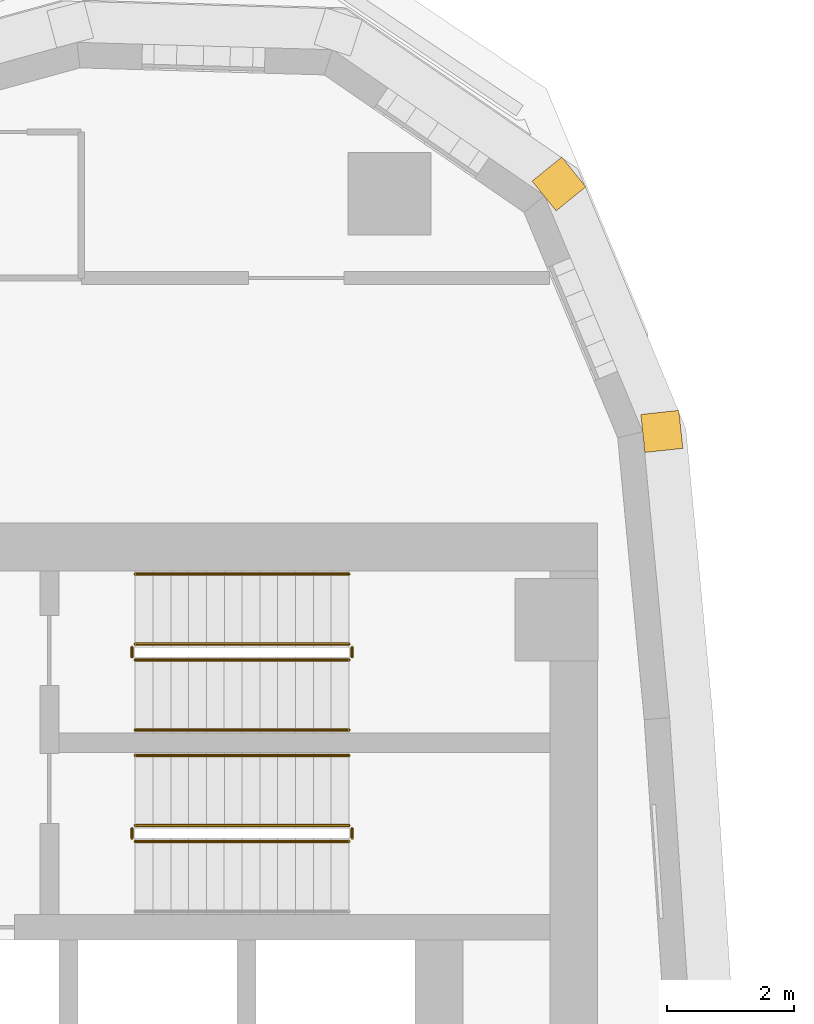
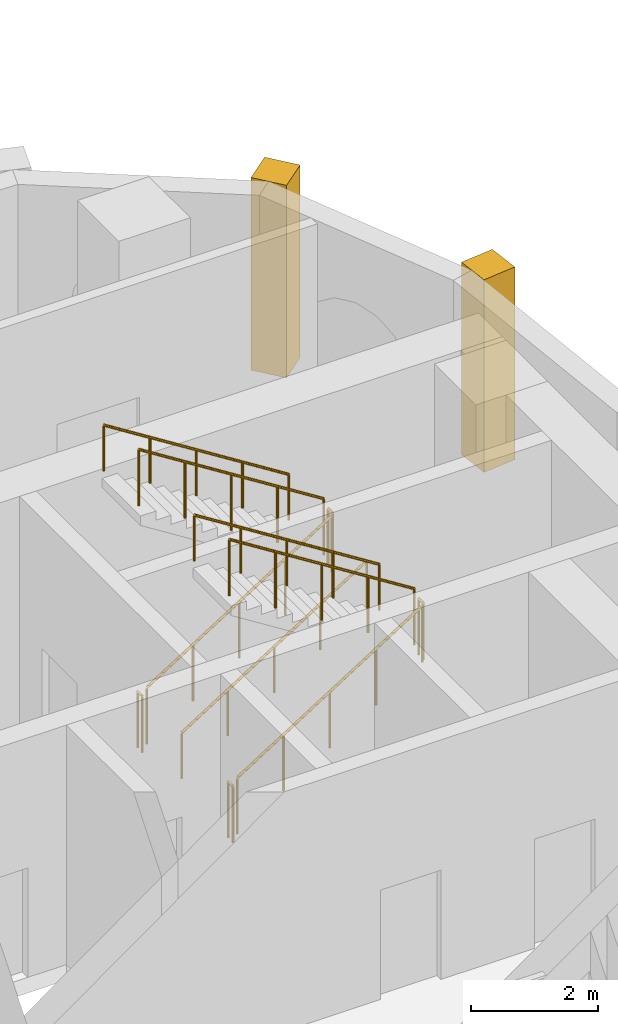
# One storey, part 16 of 19: 11 railings, 2 coverings.
"""IFC4 building model written with IfcOpenShell, lengths in metres."""

from ifc_helpers import new_model, si_unit, direction, frame, frame_2d, origin, origin_2d, place, context, subcontext, project, spatial, rectangle, circle, extrude, material, layer, layer_set, type_object, element, save


model = new_model("IFC4")

# Units and contexts
model_context = context("Model", 3, precision=1e-05, world=origin(), true_north=direction((0.0, 1.0)))
body_context = subcontext(model_context, "Body", "Model", "MODEL_VIEW")
ifc_project = project(units=[si_unit("LENGTHUNIT", "METRE"), si_unit("AREAUNIT", "SQUARE_METRE"), si_unit("VOLUMEUNIT", "CUBIC_METRE"), si_unit("PLANEANGLEUNIT", "RADIAN"), si_unit("MASSUNIT", "GRAM", prefix="KILO")], contexts=[model_context])

# Site, building, storey
site_placement = place(None, origin())
site = spatial("IfcSite", under=ifc_project, at=site_placement, CompositionType="ELEMENT")
building_placement = place(site_placement, origin())
building = spatial("IfcBuilding", under=site, at=building_placement, Name="Ostrand Prow Hotel Tower", CompositionType="ELEMENT")
storey_placement = place(building_placement, frame((0.0, 0.0, 170.89990234375)))
storey = spatial("IfcBuildingStorey", under=building, at=storey_placement, Name="L42", CompositionType="ELEMENT", Elevation=170.89990234375)

# Coverings
ifc_material_1 = material(Name="Limestone cladding", Category="masonry")
ifc_layer = layer(ifc_material_1, 0.60009765625)
ifc_layer_set = layer_set([ifc_layer], Name="Limestone cladding")
covering_type = type_object("IfcCoveringType", Name="Precast stone prow rib 600x600", PredefinedType="CLADDING", material=ifc_layer_set)
for number, where, z_axis, x_axis, name in (
    (1, (65.18017578125, 17.9111328125, 0.60009765625), (0.0, 0.0, 1.0), (0.994255138911, 0.107036062846, 0.0), "Stone corner rib 13a"),
    (2, (63.6279296875, 21.643798828125, 0.60009765625), (0.0, 0.0, 1.0), (0.776922530767, 0.62959620487, 0.0), "Stone corner rib 14a"),
):
    element("IfcCovering", number, at=place(storey_placement, frame(where, z_axis=z_axis, x_axis=x_axis)), inside=storey, type_object=covering_type, Name=name, PredefinedType="CLADDING", context=body_context, shape_type="SweptSolid", body=[
        extrude(rectangle(XDim=0.599853515625, YDim=0.60009765625, at=frame_2d((0.2998046875, 0.0))), origin(), (0.0, 0.0, 1.0), 3.699951171875),
    ])

# Railings
ifc_material_2 = material(Name="Painted steel", Category="steel")
railing_type_1 = type_object("IfcRailingType", Name="Stair guard 1100", PredefinedType="GUARDRAIL", material=ifc_material_2)
railing_1_placement = place(storey_placement, frame((57.199951171875, 11.5, 0.177001953125)))
element("IfcRailing", 3, at=railing_1_placement, inside=storey, type_object=railing_type_1, Name="L42 ST1C stair guard 1", PredefinedType="GUARDRAIL", context=body_context, shape_type="SweptSolid", body=[
    extrude(circle(Radius=0.02392578125, at=origin_2d()), frame((0.0, 0.0, 1.076171875), z_axis=(0.845389635667, 0.0, 0.534150132366), x_axis=(0.0, 1.0, 0.0)), (0.0, 0.0, 1.0), 3.974609375),
    extrude(circle(Radius=0.02099609375, at=origin_2d()), origin(), (0.0, 0.0, 1.0), 1.052001953125),
    extrude(circle(Radius=0.02099609375, at=origin_2d()), frame((0.840087890625, 0.0, 0.53076171875)), (0.0, 0.0, 1.0), 1.052001953125),
    extrude(circle(Radius=0.02099609375, at=origin_2d()), frame((1.68017578125, 0.0, 1.0615234375)), (0.0, 0.0, 1.0), 1.052001953125),
    extrude(circle(Radius=0.02099609375, at=origin_2d()), frame((2.52001953125, 0.0, 1.59228515625)), (0.0, 0.0, 1.0), 1.052001953125),
    extrude(circle(Radius=0.02099609375, at=origin_2d()), frame((3.360107421875, 0.0, 2.123046875)), (0.0, 0.0, 1.0), 1.052001953125),
])
railing_2_placement = place(storey_placement, frame((60.610107421875, 11.550048828125, 2.300048828125)))
element("IfcRailing", 4, at=railing_2_placement, inside=storey, type_object=railing_type_1, Name="L42 ST1C stair guard 2", PredefinedType="GUARDRAIL", context=body_context, shape_type="SweptSolid", body=[
    extrude(circle(Radius=0.02392578125, at=origin_2d()), frame((0.0, 0.0, 1.076171875), z_axis=(0.0, 1.0, 0.0), x_axis=(-1.0, 0.0, 0.0)), (0.0, 0.0, 1.0), 0.14990234375),
    extrude(circle(Radius=0.02099609375, at=origin_2d()), origin(), (0.0, 0.0, 1.0), 1.052001953125),
    extrude(circle(Radius=0.02099609375, at=origin_2d()), frame((0.0, 0.14990234375, 0.0)), (0.0, 0.0, 1.0), 1.052001953125),
])
railing_3_placement = place(storey_placement, frame((60.56005859375, 11.75, 2.47705078125)))
element("IfcRailing", 5, at=railing_3_placement, inside=storey, type_object=railing_type_1, Name="L42 ST1C stair guard 3", PredefinedType="GUARDRAIL", context=body_context, shape_type="SweptSolid", body=[
    extrude(circle(Radius=0.02392578125, at=origin_2d()), frame((0.0, 0.0, 1.076171875), z_axis=(-0.845389635667, 0.0, 0.534150132366), x_axis=(0.0, -1.0, 0.0)), (0.0, 0.0, 1.0), 3.974609375),
    extrude(circle(Radius=0.02099609375, at=origin_2d()), origin(), (0.0, 0.0, 1.0), 1.052001953125),
    extrude(circle(Radius=0.02099609375, at=origin_2d()), frame((-0.840087890625, 0.0, 0.53076171875)), (0.0, 0.0, 1.0), 1.052001953125),
    extrude(circle(Radius=0.02099609375, at=origin_2d()), frame((-1.68017578125, 0.0, 1.0615234375)), (0.0, 0.0, 1.0), 1.052001953125),
    extrude(circle(Radius=0.02099609375, at=origin_2d()), frame((-2.52001953125, 0.0, 1.59228515625)), (0.0, 0.0, 1.0), 1.052001953125),
    extrude(circle(Radius=0.02099609375, at=origin_2d()), frame((-3.360107421875, 0.0, 2.123046875)), (0.0, 0.0, 1.0), 1.052001953125),
])
railing_4_placement = place(storey_placement, frame((57.14990234375, 11.550048828125, 0.0)))
element("IfcRailing", 6, at=railing_4_placement, inside=storey, type_object=railing_type_1, Name="L42 ST1C stair guard 4", PredefinedType="GUARDRAIL", context=body_context, shape_type="SweptSolid", body=[
    extrude(circle(Radius=0.02392578125, at=origin_2d()), frame((0.0, 0.0, 1.076171875), z_axis=(0.0, 1.0, 0.0), x_axis=(-1.0, 0.0, 0.0)), (0.0, 0.0, 1.0), 0.14990234375),
    extrude(circle(Radius=0.02099609375, at=origin_2d()), origin(), (0.0, 0.0, 1.0), 1.052001953125),
    extrude(circle(Radius=0.02099609375, at=origin_2d()), frame((0.0, 0.14990234375, 0.0)), (0.0, 0.0, 1.0), 1.052001953125),
])
railing_5_placement = place(storey_placement, frame((57.199951171875, 14.35009765625, 0.177001953125)))
element("IfcRailing", 7, at=railing_5_placement, inside=storey, type_object=railing_type_1, Name="L42 ST3C stair guard 1", PredefinedType="GUARDRAIL", context=body_context, shape_type="SweptSolid", body=[
    extrude(circle(Radius=0.02392578125, at=origin_2d()), frame((0.0, 0.0, 1.076171875), z_axis=(0.845389635667, 0.0, 0.534150132366), x_axis=(0.0, 1.0, 0.0)), (0.0, 0.0, 1.0), 3.974609375),
    extrude(circle(Radius=0.02099609375, at=origin_2d()), origin(), (0.0, 0.0, 1.0), 1.052001953125),
    extrude(circle(Radius=0.02099609375, at=origin_2d()), frame((0.840087890625, 0.0, 0.53076171875)), (0.0, 0.0, 1.0), 1.052001953125),
    extrude(circle(Radius=0.02099609375, at=origin_2d()), frame((1.68017578125, 0.0, 1.0615234375)), (0.0, 0.0, 1.0), 1.052001953125),
    extrude(circle(Radius=0.02099609375, at=origin_2d()), frame((2.52001953125, 0.0, 1.59228515625)), (0.0, 0.0, 1.0), 1.052001953125),
    extrude(circle(Radius=0.02099609375, at=origin_2d()), frame((3.360107421875, 0.0, 2.123046875)), (0.0, 0.0, 1.0), 1.052001953125),
])
railing_6_placement = place(storey_placement, frame((60.610107421875, 14.39990234375, 2.300048828125)))
element("IfcRailing", 8, at=railing_6_placement, inside=storey, type_object=railing_type_1, Name="L42 ST3C stair guard 2", PredefinedType="GUARDRAIL", context=body_context, shape_type="SweptSolid", body=[
    extrude(circle(Radius=0.02392578125, at=origin_2d()), frame((0.0, 0.0, 1.076171875), z_axis=(0.0, 1.0, 0.0), x_axis=(-1.0, 0.0, 0.0)), (0.0, 0.0, 1.0), 0.150146484375),
    extrude(circle(Radius=0.02099609375, at=origin_2d()), origin(), (0.0, 0.0, 1.0), 1.052001953125),
    extrude(circle(Radius=0.02099609375, at=origin_2d()), frame((0.0, 0.150146484375, 0.0)), (0.0, 0.0, 1.0), 1.052001953125),
])
railing_7_placement = place(storey_placement, frame((60.56005859375, 14.60009765625, 2.47705078125)))
element("IfcRailing", 9, at=railing_7_placement, inside=storey, type_object=railing_type_1, Name="L42 ST3C stair guard 3", PredefinedType="GUARDRAIL", context=body_context, shape_type="SweptSolid", body=[
    extrude(circle(Radius=0.02392578125, at=origin_2d()), frame((0.0, 0.0, 1.076171875), z_axis=(-0.845389635667, 0.0, 0.534150132366), x_axis=(0.0, -1.0, 0.0)), (0.0, 0.0, 1.0), 3.974609375),
    extrude(circle(Radius=0.02099609375, at=origin_2d()), origin(), (0.0, 0.0, 1.0), 1.052001953125),
    extrude(circle(Radius=0.02099609375, at=origin_2d()), frame((-0.840087890625, 0.0, 0.53076171875)), (0.0, 0.0, 1.0), 1.052001953125),
    extrude(circle(Radius=0.02099609375, at=origin_2d()), frame((-1.68017578125, 0.0, 1.0615234375)), (0.0, 0.0, 1.0), 1.052001953125),
    extrude(circle(Radius=0.02099609375, at=origin_2d()), frame((-2.52001953125, 0.0, 1.59228515625)), (0.0, 0.0, 1.0), 1.052001953125),
    extrude(circle(Radius=0.02099609375, at=origin_2d()), frame((-3.360107421875, 0.0, 2.123046875)), (0.0, 0.0, 1.0), 1.052001953125),
])
railing_8_placement = place(storey_placement, frame((57.14990234375, 14.39990234375, 0.0)))
element("IfcRailing", 10, at=railing_8_placement, inside=storey, type_object=railing_type_1, Name="L42 ST3C stair guard 4", PredefinedType="GUARDRAIL", context=body_context, shape_type="SweptSolid", body=[
    extrude(circle(Radius=0.02392578125, at=origin_2d()), frame((0.0, 0.0, 1.076171875), z_axis=(0.0, 1.0, 0.0), x_axis=(-1.0, 0.0, 0.0)), (0.0, 0.0, 1.0), 0.150146484375),
    extrude(circle(Radius=0.02099609375, at=origin_2d()), origin(), (0.0, 0.0, 1.0), 1.052001953125),
    extrude(circle(Radius=0.02099609375, at=origin_2d()), frame((0.0, 0.150146484375, 0.0)), (0.0, 0.0, 1.0), 1.052001953125),
])
ifc_material_3 = material(Name="Stainless steel", Category="steel")
railing_type_2 = type_object("IfcRailingType", Name="Stair handrail 900", PredefinedType="HANDRAIL", material=ifc_material_3)
railing_9_placement = place(storey_placement, frame((60.56005859375, 12.85009765625, 2.47705078125)))
element("IfcRailing", 11, at=railing_9_placement, inside=storey, type_object=railing_type_2, Name="L42 ST1C stair handrail 2", PredefinedType="HANDRAIL", context=body_context, shape_type="SweptSolid", body=[
    extrude(circle(Radius=0.02392578125, at=origin_2d()), frame((0.0, 0.0, 0.8759765625), z_axis=(-0.845389635667, 0.0, 0.534150132366), x_axis=(0.0, -1.0, 0.0)), (0.0, 0.0, 1.0), 3.974609375),
    extrude(circle(Radius=0.02099609375, at=origin_2d()), origin(), (0.0, 0.0, 1.0), 0.851806640625),
    extrude(circle(Radius=0.02099609375, at=origin_2d()), frame((-0.840087890625, 0.0, 0.53076171875)), (0.0, 0.0, 1.0), 0.851806640625),
    extrude(circle(Radius=0.02099609375, at=origin_2d()), frame((-1.68017578125, 0.0, 1.0615234375)), (0.0, 0.0, 1.0), 0.851806640625),
    extrude(circle(Radius=0.02099609375, at=origin_2d()), frame((-2.52001953125, 0.0, 1.59228515625)), (0.0, 0.0, 1.0), 0.851806640625),
    extrude(circle(Radius=0.02099609375, at=origin_2d()), frame((-3.360107421875, 0.0, 2.123046875)), (0.0, 0.0, 1.0), 0.851806640625),
])
railing_10_placement = place(storey_placement, frame((57.199951171875, 13.25, 0.177001953125)))
element("IfcRailing", 12, at=railing_10_placement, inside=storey, type_object=railing_type_2, Name="L42 ST3C stair handrail 1", PredefinedType="HANDRAIL", context=body_context, shape_type="SweptSolid", body=[
    extrude(circle(Radius=0.02392578125, at=origin_2d()), frame((0.0, 0.0, 0.8759765625), z_axis=(0.845389635667, 0.0, 0.534150132366), x_axis=(0.0, 1.0, 0.0)), (0.0, 0.0, 1.0), 3.974609375),
    extrude(circle(Radius=0.02099609375, at=origin_2d()), origin(), (0.0, 0.0, 1.0), 0.851806640625),
    extrude(circle(Radius=0.02099609375, at=origin_2d()), frame((0.840087890625, 0.0, 0.53076171875)), (0.0, 0.0, 1.0), 0.851806640625),
    extrude(circle(Radius=0.02099609375, at=origin_2d()), frame((1.68017578125, 0.0, 1.0615234375)), (0.0, 0.0, 1.0), 0.851806640625),
    extrude(circle(Radius=0.02099609375, at=origin_2d()), frame((2.52001953125, 0.0, 1.59228515625)), (0.0, 0.0, 1.0), 0.851806640625),
    extrude(circle(Radius=0.02099609375, at=origin_2d()), frame((3.360107421875, 0.0, 2.123046875)), (0.0, 0.0, 1.0), 0.851806640625),
])
railing_11_placement = place(storey_placement, frame((60.56005859375, 15.699951171875, 2.47705078125)))
element("IfcRailing", 13, at=railing_11_placement, inside=storey, type_object=railing_type_2, Name="L42 ST3C stair handrail 2", PredefinedType="HANDRAIL", context=body_context, shape_type="SweptSolid", body=[
    extrude(circle(Radius=0.02392578125, at=origin_2d()), frame((0.0, 0.0, 0.8759765625), z_axis=(-0.845389635667, 0.0, 0.534150132366), x_axis=(0.0, -1.0, 0.0)), (0.0, 0.0, 1.0), 3.974609375),
    extrude(circle(Radius=0.02099609375, at=origin_2d()), origin(), (0.0, 0.0, 1.0), 0.851806640625),
    extrude(circle(Radius=0.02099609375, at=origin_2d()), frame((-0.840087890625, 0.0, 0.53076171875)), (0.0, 0.0, 1.0), 0.851806640625),
    extrude(circle(Radius=0.02099609375, at=origin_2d()), frame((-1.68017578125, 0.0, 1.0615234375)), (0.0, 0.0, 1.0), 0.851806640625),
    extrude(circle(Radius=0.02099609375, at=origin_2d()), frame((-2.52001953125, 0.0, 1.59228515625)), (0.0, 0.0, 1.0), 0.851806640625),
    extrude(circle(Radius=0.02099609375, at=origin_2d()), frame((-3.360107421875, 0.0, 2.123046875)), (0.0, 0.0, 1.0), 0.851806640625),
])

save(model, "model.ifc")
